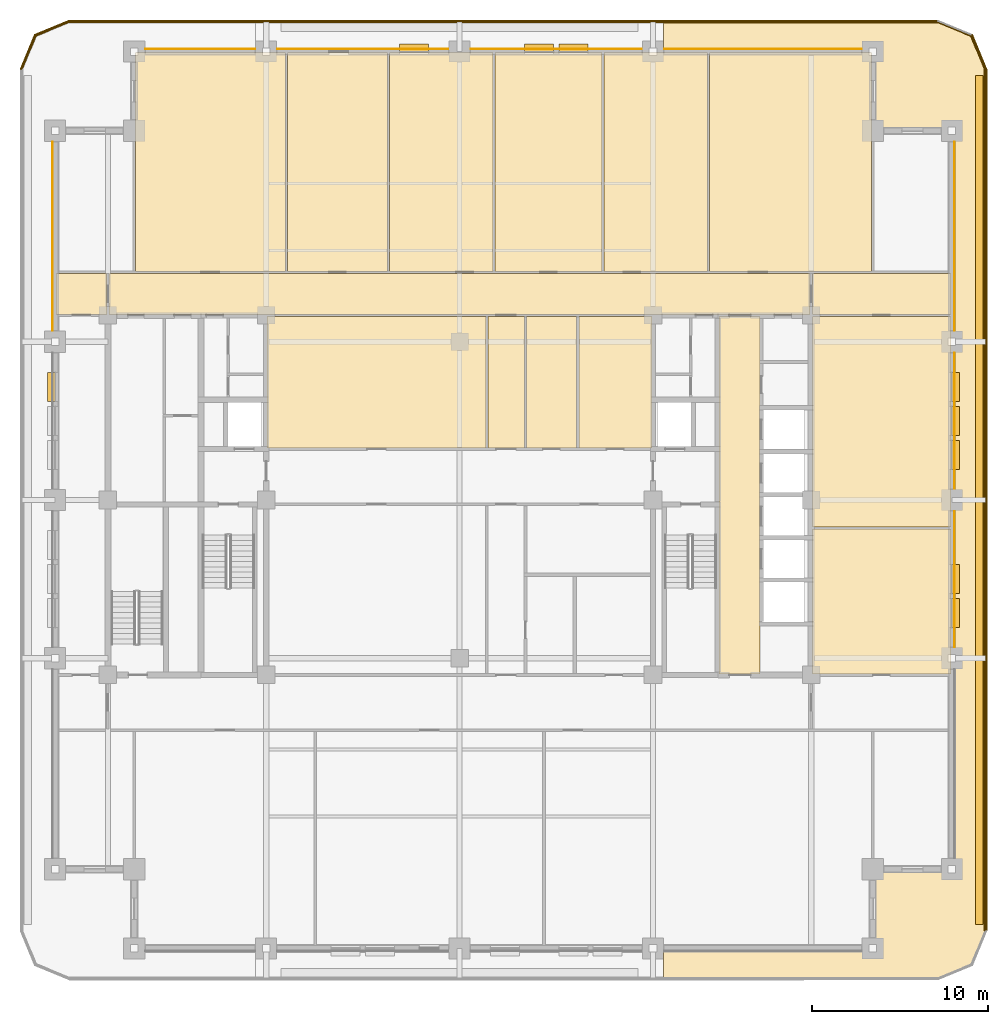
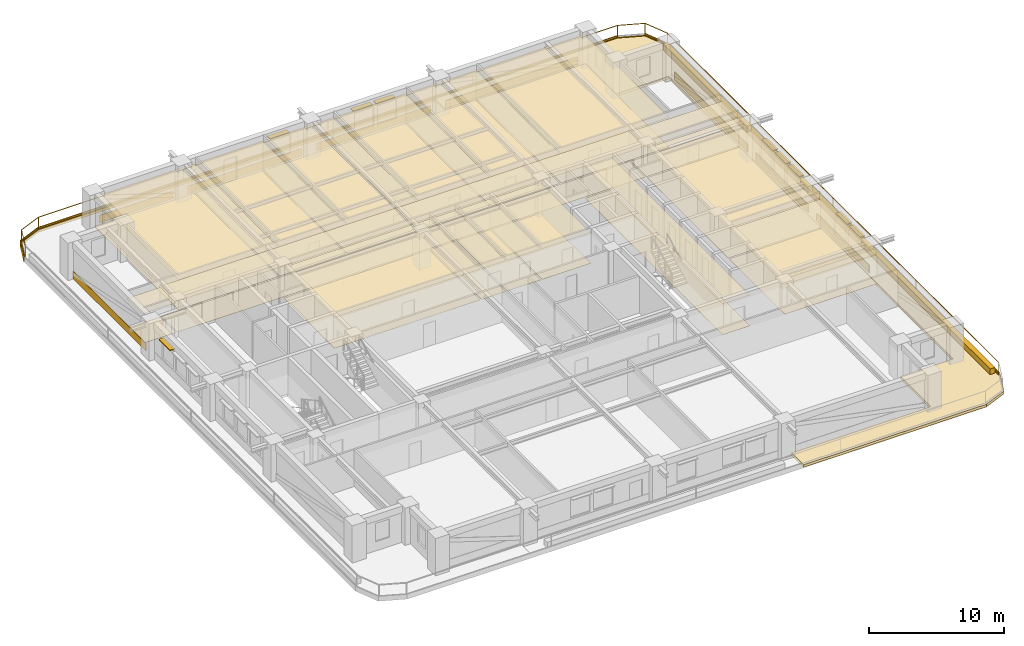
# One storey, part 13 of 14: 47 coverings, 9 shading devices, 2 railings.
"""IFC4 building model written with IfcOpenShell, lengths in metres."""

from ifc_helpers import new_model, si_unit, direction, frame, frame_2d, origin, origin_2d, place, context, subcontext, project, spatial, polyline, rectangle, outline, extrude, material, layer, layer_set, type_object, element, save


model = new_model("IFC4")

# Units and contexts
model_context = context("Model", 3, precision=1e-05, world=origin(), true_north=direction((0.0, 1.0)))
body_context = subcontext(model_context, "Body", "Model", "MODEL_VIEW")
ifc_project = project(units=[si_unit("LENGTHUNIT", "METRE"), si_unit("AREAUNIT", "SQUARE_METRE"), si_unit("VOLUMEUNIT", "CUBIC_METRE"), si_unit("PLANEANGLEUNIT", "RADIAN"), si_unit("MASSUNIT", "GRAM", prefix="KILO")], contexts=[model_context])

# Site, building, storey
site_placement = place(None, origin())
site = spatial("IfcSite", under=ifc_project, at=site_placement, CompositionType="ELEMENT")
building_placement = place(site_placement, origin())
building = spatial("IfcBuilding", under=site, at=building_placement, Name="Zulmaris Gate Convention Tower", CompositionType="ELEMENT")
storey_placement = place(building_placement, frame((0.0, 0.0, 102.06982421875)))
storey = spatial("IfcBuildingStorey", under=building, at=storey_placement, Name="L25", CompositionType="ELEMENT", Elevation=102.06982421875)

# Coverings
ifc_material_1 = material(Name="Precast concrete C40/50", Category="concrete")
ifc_layer_1 = layer(ifc_material_1, 0.0400390625, Name="Precast concrete C40/50")
ifc_layer_set_1 = layer_set([ifc_layer_1], Name="Precast concrete C40/50")
covering_type_1 = type_object("IfcCoveringType", Name="CLAD-SPANDREL-PRECAST", PredefinedType="CLADDING", material=ifc_layer_set_1)
covering_1_placement = place(storey_placement, frame((-11.6298828125, 25.64990234375, 0.0), z_axis=(0.0, 0.0, 1.0), x_axis=(-1.0, 0.0, 0.0)))
element("IfcCovering", 1, at=covering_1_placement, inside=storey, type_object=covering_type_1, Name="CLD-L25-N-0_0", PredefinedType="CLADDING", context=body_context, shape_type="SweptSolid", body=[
    extrude(rectangle(XDim=6.240234375, YDim=0.0400390625, at=frame_2d((3.1201171875, 0.0))), origin(), (0.0, 0.0, 1.0), 0.679931640625),
])
for number, where, z_axis, x_axis, name in (
    (2, (-0.6298828125, 25.64990234375, 0.0), (0.0, 0.0, 1.0), (-1.0, 0.0, 0.0), "CLD-L25-N-1_0"),
    (3, (10.3701171875, 25.64990234375, 0.0), (0.0, 0.0, 1.0), (-1.0, 0.0, 0.0), "CLD-L25-N-2_0"),
):
    element("IfcCovering", number, at=place(storey_placement, frame(where, z_axis=z_axis, x_axis=x_axis)), inside=storey, type_object=covering_type_1, Name=name, PredefinedType="CLADDING", context=body_context, shape_type="SweptSolid", body=[
        extrude(rectangle(XDim=9.740234375, YDim=0.0400390625, at=frame_2d((4.8701171875, 0.0))), origin(), (0.0, 0.0, 1.0), 0.679931640625),
    ])
covering_2_placement = place(storey_placement, frame((22.8701171875, 25.64990234375, 0.0), z_axis=(0.0, 0.0, 1.0), x_axis=(-1.0, 0.0, 0.0)))
element("IfcCovering", 4, at=covering_2_placement, inside=storey, type_object=covering_type_1, Name="CLD-L25-N-3_0", PredefinedType="CLADDING", context=body_context, shape_type="SweptSolid", body=[
    extrude(rectangle(XDim=11.240234375, YDim=0.0400390625, at=frame_2d((5.6201171875, 0.0))), origin(), (0.0, 0.0, 1.0), 0.679931640625),
])
for number, where, z_axis, x_axis, name in (
    (5, (28.14990234375, -8.3701171875, 0.0), (0.0, 0.0, 1.0), (0.0, 1.0, 0.0), "CLD-L25-E-1_0"),
    (6, (28.14990234375, 0.6298828125, 0.0), (0.0, 0.0, 1.0), (0.0, 1.0, 0.0), "CLD-L25-E-2_0"),
):
    element("IfcCovering", number, at=place(storey_placement, frame(where, z_axis=z_axis, x_axis=x_axis)), inside=storey, type_object=covering_type_1, Name=name, PredefinedType="CLADDING", context=body_context, shape_type="SweptSolid", body=[
        extrude(rectangle(XDim=7.740234375, YDim=0.0400390625, at=frame_2d((3.8701171875, 0.0))), origin(), (0.0, 0.0, 1.0), 0.679931640625),
    ])
for number, where, z_axis, x_axis, name in (
    (7, (28.14990234375, 9.6298828125, 0.0), (0.0, 0.0, 1.0), (0.0, 1.0, 0.0), "CLD-L25-E-3_0"),
    (8, (-23.14990234375, 20.3701171875, 0.0), (0.0, 0.0, 1.0), (0.0, -1.0, 0.0), "CLD-L25-W-3_0"),
):
    element("IfcCovering", number, at=place(storey_placement, frame(where, z_axis=z_axis, x_axis=x_axis)), inside=storey, type_object=covering_type_1, Name=name, PredefinedType="CLADDING", context=body_context, shape_type="SweptSolid", body=[
        extrude(rectangle(XDim=10.740234375, YDim=0.0400390625, at=frame_2d((5.3701171875, 0.0))), origin(), (0.0, 0.0, 1.0), 0.679931640625),
    ])
ifc_material_2 = material(Name="White Glazed Architectural Precast Concrete C40/50", Category="concrete")
ifc_layer_2 = layer(ifc_material_2, 0.239990234375, Name="White Glazed Architectural Precast Concrete C40/50")
ifc_layer_set_2 = layer_set([ifc_layer_2], Name="White Glazed Architectural Precast Concrete C40/50")
covering_type_2 = type_object("IfcCoveringType", Name="CLAD-TRAY-DECK", PredefinedType="CLADDING", material=ifc_layer_set_2)
covering_3_placement = place(storey_placement, frame((0.0, 0.0, -0.27490234375)))
element("IfcCovering", 9, at=covering_3_placement, inside=storey, type_object=covering_type_2, Name="L25 East Rounded-Fascia Planter Tray Deck", PredefinedType="CLADDING", context=body_context, shape_type="SweptSolid", body=[
    extrude(outline(polyline([(27.199951171875, 27.300048828125), (29.179931640625, 26.47998046875), (30.0, 24.5), (30.0, -24.5), (29.179931640625, -26.47998046875), (27.199951171875, -27.300048828125), (11.60205078125, -27.300048828125), (11.60205078125, -25.5), (23.5, -25.5), (23.5, -21.0), (28.0, -21.0), (28.0, 21.0), (23.5, 21.0), (23.5, 25.5), (11.60205078125, 25.5), (11.60205078125, 27.300048828125), (27.199951171875, 27.300048828125)])), origin(), (0.0, 0.0, 1.0), 0.239990234375),
])
ifc_layer_3 = layer(ifc_material_2, 0.080078125, Name="White Glazed Architectural Precast Concrete C40/50")
ifc_layer_set_3 = layer_set([ifc_layer_3], Name="White Glazed Architectural Precast Concrete C40/50")
covering_type_3 = type_object("IfcCoveringType", Name="CLAD-TRAY-FASCIA", PredefinedType="CLADDING", material=ifc_layer_set_3)
covering_4_placement = place(storey_placement, frame((29.9599609375, -24.5, -0.31494140625), z_axis=(0.0, 0.0, 1.0), x_axis=(0.0, 1.0, 0.0)))
element("IfcCovering", 10, at=covering_4_placement, inside=storey, type_object=covering_type_3, Name="FSC-L25-TR-05", PredefinedType="CLADDING", context=body_context, shape_type="SweptSolid", body=[
    extrude(rectangle(XDim=49.0, YDim=0.080078125, at=frame_2d((24.5, 0.0))), origin(), (0.0, 0.0, 1.0), 0.43994140625),
])
covering_5_placement = place(storey_placement, frame((29.962890625, 24.484619140625, -0.31494140625), z_axis=(0.0, 0.0, 1.0), x_axis=(-0.382656984709, 0.923890487046, 0.0)))
element("IfcCovering", 11, at=covering_5_placement, inside=storey, type_object=covering_type_3, Name="FSC-L25-TR-06", PredefinedType="CLADDING", context=body_context, shape_type="SweptSolid", body=[
    extrude(rectangle(XDim=2.14306640625, YDim=0.080078125, at=frame_2d((1.071533203125, 0.0))), origin(), (0.0, 0.0, 1.0), 0.43994140625),
])
covering_6_placement = place(storey_placement, frame((27.199951171875, 27.260009765625, -0.31494140625), z_axis=(0.0, 0.0, 1.0), x_axis=(-1.0, 0.0, 0.0)))
element("IfcCovering", 12, at=covering_6_placement, inside=storey, type_object=covering_type_3, Name="FSC-L25-TR-08", PredefinedType="CLADDING", context=body_context, shape_type="SweptSolid", body=[
    extrude(rectangle(XDim=49.39990234375, YDim=0.080078125, at=frame_2d((24.699951171875, 0.0))), origin(), (0.0, 0.0, 1.0), 0.43994140625),
])
covering_7_placement = place(storey_placement, frame((-22.184814453125, 27.262939453125, -0.31494140625), z_axis=(0.0, 0.0, 1.0), x_axis=(-0.923873803533, -0.382697263049, 0.0)))
element("IfcCovering", 13, at=covering_7_placement, inside=storey, type_object=covering_type_3, Name="FSC-L25-TR-09", PredefinedType="CLADDING", context=body_context, shape_type="SweptSolid", body=[
    extrude(rectangle(XDim=2.142822265625, YDim=0.080078125, at=frame_2d((1.0712890625, 0.0))), origin(), (0.0, 0.0, 1.0), 0.43994140625),
])
covering_8_placement = place(storey_placement, frame((-24.142822265625, 26.464599609375, -0.31494140625), z_axis=(0.0, 0.0, 1.0), x_axis=(-0.382656984709, -0.923890487046, 0.0)))
element("IfcCovering", 14, at=covering_8_placement, inside=storey, type_object=covering_type_3, Name="FSC-L25-TR-10", PredefinedType="CLADDING", context=body_context, shape_type="SweptSolid", body=[
    extrude(rectangle(XDim=2.14306640625, YDim=0.080078125, at=frame_2d((1.071533203125, 0.0))), origin(), (0.0, 0.0, 1.0), 0.43994140625),
])
ifc_material_3 = material(Name="Mineral Fibre Acoustic Ceiling Tile")
ifc_layer_4 = layer(ifc_material_3, 0.02001953125, Name="Mineral Fibre Acoustic Ceiling Tile")
ifc_layer_set_4 = layer_set([ifc_layer_4], Name="Mineral Fibre Acoustic Ceiling Tile")
covering_type_4 = type_object("IfcCoveringType", Name="CLG-ACOUSTIC-600", PredefinedType="CEILING", material=ifc_layer_set_4)
covering_9_placement = place(storey_placement, frame((0.0, 0.0, 2.778076171875)))
element("IfcCovering", 15, at=covering_9_placement, inside=storey, type_object=covering_type_4, Name="CLG-L25-R27", PredefinedType="CEILING", context=body_context, shape_type="SweptSolid", body=[
    extrude(outline(polyline([(14.760009765625, -9.889892578125), (17.090087890625, -9.889892578125), (17.090087890625, 10.43994140625), (14.760009765625, 10.43994140625), (14.760009765625, -9.889892578125)])), origin(), (0.0, 0.0, 1.0), 0.02001953125),
])
covering_10_placement = place(storey_placement, frame((0.0, 0.0, 2.778076171875)))
element("IfcCovering", 16, at=covering_10_placement, inside=storey, type_object=covering_type_4, Name="CLG-L25-R32", PredefinedType="CEILING", context=body_context, shape_type="SweptSolid", body=[
    extrude(outline(polyline([(-19.93994140625, 10.56005859375), (19.93994140625, 10.56005859375), (19.93994140625, 12.889892578125), (-19.93994140625, 12.889892578125), (-19.93994140625, 10.56005859375)])), origin(), (0.0, 0.0, 1.0), 0.02001953125),
])
covering_11_placement = place(storey_placement, frame((0.0, 0.0, 2.778076171875)))
element("IfcCovering", 17, at=covering_11_placement, inside=storey, type_object=covering_type_4, Name="CLG-L25-R35", PredefinedType="CEILING", context=body_context, shape_type="SweptSolid", body=[
    extrude(outline(polyline([(1.610107421875, 2.9599609375), (3.68994140625, 2.9599609375), (3.68994140625, 10.43994140625), (1.610107421875, 10.43994140625), (1.610107421875, 2.9599609375)])), origin(), (0.0, 0.0, 1.0), 0.02001953125),
])
covering_12_placement = place(storey_placement, frame((0.0, 0.0, 2.68017578125)))
element("IfcCovering", 18, at=covering_12_placement, inside=storey, type_object=covering_type_4, Name="CLG-L25-R37", PredefinedType="CEILING", context=body_context, shape_type="SweptSolid", body=[
    extrude(outline(polyline([(-18.43994140625, 13.010009765625), (-9.909912109375, 13.010009765625), (-9.909912109375, 25.43994140625), (-18.43994140625, 25.43994140625), (-18.43994140625, 13.010009765625)])), origin(), (0.0, 0.0, 1.0), 0.02001953125),
])
covering_13_placement = place(storey_placement, frame((0.0, 0.0, 2.68017578125)))
element("IfcCovering", 19, at=covering_13_placement, inside=storey, type_object=covering_type_4, Name="CLG-L25-R38", PredefinedType="CEILING", context=body_context, shape_type="SweptSolid", body=[
    extrude(outline(polyline([(-9.7900390625, 13.010009765625), (-4.110107421875, 13.010009765625), (-4.110107421875, 25.43994140625), (-9.7900390625, 25.43994140625), (-9.7900390625, 13.010009765625)])), origin(), (0.0, 0.0, 1.0), 0.02001953125),
])
covering_14_placement = place(storey_placement, frame((0.0, 0.0, 2.68017578125)))
element("IfcCovering", 20, at=covering_14_placement, inside=storey, type_object=covering_type_4, Name="CLG-L25-R39", PredefinedType="CEILING", context=body_context, shape_type="SweptSolid", body=[
    extrude(outline(polyline([(-3.989990234375, 13.010009765625), (1.889892578125, 13.010009765625), (1.889892578125, 25.43994140625), (-3.989990234375, 25.43994140625), (-3.989990234375, 13.010009765625)])), origin(), (0.0, 0.0, 1.0), 0.02001953125),
])
covering_15_placement = place(storey_placement, frame((0.0, 0.0, 2.68017578125)))
element("IfcCovering", 21, at=covering_15_placement, inside=storey, type_object=covering_type_4, Name="CLG-L25-R40", PredefinedType="CEILING", context=body_context, shape_type="SweptSolid", body=[
    extrude(outline(polyline([(2.010009765625, 13.010009765625), (8.090087890625, 13.010009765625), (8.090087890625, 25.43994140625), (2.010009765625, 25.43994140625), (2.010009765625, 13.010009765625)])), origin(), (0.0, 0.0, 1.0), 0.02001953125),
])
covering_16_placement = place(storey_placement, frame((0.0, 0.0, 2.68017578125)))
element("IfcCovering", 22, at=covering_16_placement, inside=storey, type_object=covering_type_4, Name="CLG-L25-R41", PredefinedType="CEILING", context=body_context, shape_type="SweptSolid", body=[
    extrude(outline(polyline([(8.2099609375, 13.010009765625), (14.090087890625, 13.010009765625), (14.090087890625, 25.43994140625), (8.2099609375, 25.43994140625), (8.2099609375, 13.010009765625)])), origin(), (0.0, 0.0, 1.0), 0.02001953125),
])
covering_17_placement = place(storey_placement, frame((0.0, 0.0, 2.68017578125)))
element("IfcCovering", 23, at=covering_17_placement, inside=storey, type_object=covering_type_4, Name="CLG-L25-R42", PredefinedType="CEILING", context=body_context, shape_type="SweptSolid", body=[
    extrude(outline(polyline([(14.2099609375, 13.010009765625), (23.43994140625, 13.010009765625), (23.43994140625, 25.43994140625), (14.2099609375, 25.43994140625), (14.2099609375, 13.010009765625)])), origin(), (0.0, 0.0, 1.0), 0.02001953125),
])
covering_18_placement = place(storey_placement, frame((0.0, 0.0, 2.778076171875)))
element("IfcCovering", 24, at=covering_18_placement, inside=storey, type_object=covering_type_4, Name="CLG-L25-R46", PredefinedType="CEILING", context=body_context, shape_type="SweptSolid", body=[
    extrude(outline(polyline([(-10.93994140625, 2.9599609375), (1.489990234375, 2.9599609375), (1.489990234375, 10.43994140625), (-10.93994140625, 10.43994140625), (-10.93994140625, 2.9599609375)])), origin(), (0.0, 0.0, 1.0), 0.02001953125),
])
covering_19_placement = place(storey_placement, frame((0.0, 0.0, 2.778076171875)))
element("IfcCovering", 25, at=covering_19_placement, inside=storey, type_object=covering_type_4, Name="CLG-L25-R47", PredefinedType="CEILING", context=body_context, shape_type="SweptSolid", body=[
    extrude(outline(polyline([(3.81005859375, 2.9599609375), (6.659912109375, 2.9599609375), (6.659912109375, 10.43994140625), (3.81005859375, 10.43994140625), (3.81005859375, 2.9599609375)])), origin(), (0.0, 0.0, 1.0), 0.02001953125),
])
covering_20_placement = place(storey_placement, frame((0.0, 0.0, 2.778076171875)))
element("IfcCovering", 26, at=covering_20_placement, inside=storey, type_object=covering_type_4, Name="CLG-L25-R48", PredefinedType="CEILING", context=body_context, shape_type="SweptSolid", body=[
    extrude(outline(polyline([(6.780029296875, 2.9599609375), (10.93994140625, 2.9599609375), (10.93994140625, 10.43994140625), (6.780029296875, 10.43994140625), (6.780029296875, 2.9599609375)])), origin(), (0.0, 0.0, 1.0), 0.02001953125),
])
covering_21_placement = place(storey_placement, frame((0.0, 0.0, 2.68017578125)))
element("IfcCovering", 27, at=covering_21_placement, inside=storey, type_object=covering_type_4, Name="CLG-L25-R53", PredefinedType="CEILING", context=body_context, shape_type="SweptSolid", body=[
    extrude(outline(polyline([(-22.93994140625, 10.56005859375), (-20.06005859375, 10.56005859375), (-20.06005859375, 12.889892578125), (-22.93994140625, 12.889892578125), (-22.93994140625, 10.56005859375)])), origin(), (0.0, 0.0, 1.0), 0.02001953125),
])
covering_22_placement = place(storey_placement, frame((0.0, 0.0, 2.68017578125)))
element("IfcCovering", 28, at=covering_22_placement, inside=storey, type_object=covering_type_4, Name="CLG-L25-R56", PredefinedType="CEILING", context=body_context, shape_type="SweptSolid", body=[
    extrude(outline(polyline([(20.06005859375, 10.56005859375), (27.93994140625, 10.56005859375), (27.93994140625, 12.889892578125), (20.06005859375, 12.889892578125), (20.06005859375, 10.56005859375)])), origin(), (0.0, 0.0, 1.0), 0.02001953125),
])
covering_23_placement = place(storey_placement, frame((0.0, 0.0, 2.68017578125)))
element("IfcCovering", 29, at=covering_23_placement, inside=storey, type_object=covering_type_4, Name="CLG-L25-R58", PredefinedType="CEILING", context=body_context, shape_type="SweptSolid", body=[
    extrude(outline(polyline([(20.06005859375, -1.5400390625), (27.93994140625, -1.5400390625), (27.93994140625, 10.43994140625), (20.06005859375, 10.43994140625), (20.06005859375, -1.5400390625)])), origin(), (0.0, 0.0, 1.0), 0.02001953125),
])
covering_24_placement = place(storey_placement, frame((0.0, 0.0, 2.68017578125)))
element("IfcCovering", 30, at=covering_24_placement, inside=storey, type_object=covering_type_4, Name="CLG-L25-R59", PredefinedType="CEILING", context=body_context, shape_type="SweptSolid", body=[
    extrude(outline(polyline([(20.06005859375, -9.889892578125), (27.93994140625, -9.889892578125), (27.93994140625, -1.659912109375), (20.06005859375, -1.659912109375), (20.06005859375, -9.889892578125)])), origin(), (0.0, 0.0, 1.0), 0.02001953125),
])
ifc_material_4 = material(Name="Woven Acoustic Wool Carpet Tile")
ifc_layer_5 = layer(ifc_material_4, 0.02001953125, Name="Woven Acoustic Wool Carpet Tile")
ifc_layer_set_5 = layer_set([ifc_layer_5], Name="Woven Acoustic Wool Carpet Tile")
covering_type_5 = type_object("IfcCoveringType", Name="FLR-CARPET-12", PredefinedType="FLOORING", material=ifc_layer_set_5)
covering_25_placement = place(storey_placement, origin())
element("IfcCovering", 31, at=covering_25_placement, inside=storey, type_object=covering_type_5, Name="FLR-L25-R27", PredefinedType="FLOORING", context=body_context, shape_type="SweptSolid", body=[
    extrude(outline(polyline([(14.760009765625, -9.889892578125), (17.090087890625, -9.889892578125), (17.090087890625, 10.43994140625), (14.760009765625, 10.43994140625), (14.760009765625, -9.889892578125)])), origin(), (0.0, 0.0, 1.0), 0.02001953125),
])
covering_26_placement = place(storey_placement, origin())
element("IfcCovering", 32, at=covering_26_placement, inside=storey, type_object=covering_type_5, Name="FLR-L25-R32", PredefinedType="FLOORING", context=body_context, shape_type="SweptSolid", body=[
    extrude(outline(polyline([(-19.93994140625, 10.56005859375), (19.93994140625, 10.56005859375), (19.93994140625, 12.889892578125), (-19.93994140625, 12.889892578125), (-19.93994140625, 10.56005859375)])), origin(), (0.0, 0.0, 1.0), 0.02001953125),
])
covering_27_placement = place(storey_placement, origin())
element("IfcCovering", 33, at=covering_27_placement, inside=storey, type_object=covering_type_5, Name="FLR-L25-R35", PredefinedType="FLOORING", context=body_context, shape_type="SweptSolid", body=[
    extrude(outline(polyline([(1.610107421875, 2.9599609375), (3.68994140625, 2.9599609375), (3.68994140625, 10.43994140625), (1.610107421875, 10.43994140625), (1.610107421875, 2.9599609375)])), origin(), (0.0, 0.0, 1.0), 0.02001953125),
])
covering_28_placement = place(storey_placement, origin())
element("IfcCovering", 34, at=covering_28_placement, inside=storey, type_object=covering_type_5, Name="FLR-L25-R38", PredefinedType="FLOORING", context=body_context, shape_type="SweptSolid", body=[
    extrude(outline(polyline([(-9.7900390625, 13.010009765625), (-4.110107421875, 13.010009765625), (-4.110107421875, 25.43994140625), (-9.7900390625, 25.43994140625), (-9.7900390625, 13.010009765625)])), origin(), (0.0, 0.0, 1.0), 0.02001953125),
])
covering_29_placement = place(storey_placement, origin())
element("IfcCovering", 35, at=covering_29_placement, inside=storey, type_object=covering_type_5, Name="FLR-L25-R39", PredefinedType="FLOORING", context=body_context, shape_type="SweptSolid", body=[
    extrude(outline(polyline([(-3.989990234375, 13.010009765625), (1.889892578125, 13.010009765625), (1.889892578125, 25.43994140625), (-3.989990234375, 25.43994140625), (-3.989990234375, 13.010009765625)])), origin(), (0.0, 0.0, 1.0), 0.02001953125),
])
covering_30_placement = place(storey_placement, origin())
element("IfcCovering", 36, at=covering_30_placement, inside=storey, type_object=covering_type_5, Name="FLR-L25-R40", PredefinedType="FLOORING", context=body_context, shape_type="SweptSolid", body=[
    extrude(outline(polyline([(2.010009765625, 13.010009765625), (8.090087890625, 13.010009765625), (8.090087890625, 25.43994140625), (2.010009765625, 25.43994140625), (2.010009765625, 13.010009765625)])), origin(), (0.0, 0.0, 1.0), 0.02001953125),
])
covering_31_placement = place(storey_placement, origin())
element("IfcCovering", 37, at=covering_31_placement, inside=storey, type_object=covering_type_5, Name="FLR-L25-R42", PredefinedType="FLOORING", context=body_context, shape_type="SweptSolid", body=[
    extrude(outline(polyline([(14.2099609375, 13.010009765625), (23.43994140625, 13.010009765625), (23.43994140625, 25.43994140625), (14.2099609375, 25.43994140625), (14.2099609375, 13.010009765625)])), origin(), (0.0, 0.0, 1.0), 0.02001953125),
])
covering_32_placement = place(storey_placement, origin())
element("IfcCovering", 38, at=covering_32_placement, inside=storey, type_object=covering_type_5, Name="FLR-L25-R48", PredefinedType="FLOORING", context=body_context, shape_type="SweptSolid", body=[
    extrude(outline(polyline([(6.780029296875, 2.9599609375), (10.93994140625, 2.9599609375), (10.93994140625, 10.43994140625), (6.780029296875, 10.43994140625), (6.780029296875, 2.9599609375)])), origin(), (0.0, 0.0, 1.0), 0.02001953125),
])
covering_33_placement = place(storey_placement, origin())
element("IfcCovering", 39, at=covering_33_placement, inside=storey, type_object=covering_type_5, Name="FLR-L25-R53", PredefinedType="FLOORING", context=body_context, shape_type="SweptSolid", body=[
    extrude(outline(polyline([(-22.93994140625, 10.56005859375), (-20.06005859375, 10.56005859375), (-20.06005859375, 12.889892578125), (-22.93994140625, 12.889892578125), (-22.93994140625, 10.56005859375)])), origin(), (0.0, 0.0, 1.0), 0.02001953125),
])
covering_34_placement = place(storey_placement, origin())
element("IfcCovering", 40, at=covering_34_placement, inside=storey, type_object=covering_type_5, Name="FLR-L25-R56", PredefinedType="FLOORING", context=body_context, shape_type="SweptSolid", body=[
    extrude(outline(polyline([(20.06005859375, 10.56005859375), (27.93994140625, 10.56005859375), (27.93994140625, 12.889892578125), (20.06005859375, 12.889892578125), (20.06005859375, 10.56005859375)])), origin(), (0.0, 0.0, 1.0), 0.02001953125),
])
covering_35_placement = place(storey_placement, origin())
element("IfcCovering", 41, at=covering_35_placement, inside=storey, type_object=covering_type_5, Name="FLR-L25-R58", PredefinedType="FLOORING", context=body_context, shape_type="SweptSolid", body=[
    extrude(outline(polyline([(20.06005859375, -1.5400390625), (27.93994140625, -1.5400390625), (27.93994140625, 10.43994140625), (20.06005859375, 10.43994140625), (20.06005859375, -1.5400390625)])), origin(), (0.0, 0.0, 1.0), 0.02001953125),
])
covering_36_placement = place(storey_placement, origin())
element("IfcCovering", 42, at=covering_36_placement, inside=storey, type_object=covering_type_5, Name="FLR-L25-R59", PredefinedType="FLOORING", context=body_context, shape_type="SweptSolid", body=[
    extrude(outline(polyline([(20.06005859375, -9.889892578125), (27.93994140625, -9.889892578125), (27.93994140625, -1.659912109375), (20.06005859375, -1.659912109375), (20.06005859375, -9.889892578125)])), origin(), (0.0, 0.0, 1.0), 0.02001953125),
])
ifc_material_5 = material(Name="Polished Granite Terrazzo Tile", Category="masonry")
ifc_layer_6 = layer(ifc_material_5, 0.02001953125, Name="Polished Granite Terrazzo Tile")
ifc_layer_set_6 = layer_set([ifc_layer_6], Name="Polished Granite Terrazzo Tile")
covering_type_6 = type_object("IfcCoveringType", Name="FLR-TERRAZZO-30", PredefinedType="FLOORING", material=ifc_layer_set_6)
covering_37_placement = place(storey_placement, origin())
element("IfcCovering", 43, at=covering_37_placement, inside=storey, type_object=covering_type_6, Name="FLR-L25-R46", PredefinedType="FLOORING", context=body_context, shape_type="SweptSolid", body=[
    extrude(outline(polyline([(-10.93994140625, 2.9599609375), (1.489990234375, 2.9599609375), (1.489990234375, 10.43994140625), (-10.93994140625, 10.43994140625), (-10.93994140625, 2.9599609375)])), origin(), (0.0, 0.0, 1.0), 0.02001953125),
])
ifc_material_6 = material(Name="Engineered Teak Parquet Flooring")
ifc_layer_7 = layer(ifc_material_6, 0.02001953125, Name="Engineered Teak Parquet Flooring")
ifc_layer_set_7 = layer_set([ifc_layer_7], Name="Engineered Teak Parquet Flooring")
covering_type_7 = type_object("IfcCoveringType", Name="FLR-TIMBER-18", PredefinedType="FLOORING", material=ifc_layer_set_7)
covering_38_placement = place(storey_placement, origin())
element("IfcCovering", 44, at=covering_38_placement, inside=storey, type_object=covering_type_7, Name="FLR-L25-R37", PredefinedType="FLOORING", context=body_context, shape_type="SweptSolid", body=[
    extrude(outline(polyline([(-18.43994140625, 13.010009765625), (-9.909912109375, 13.010009765625), (-9.909912109375, 25.43994140625), (-18.43994140625, 25.43994140625), (-18.43994140625, 13.010009765625)])), origin(), (0.0, 0.0, 1.0), 0.02001953125),
])
covering_39_placement = place(storey_placement, origin())
element("IfcCovering", 45, at=covering_39_placement, inside=storey, type_object=covering_type_7, Name="FLR-L25-R41", PredefinedType="FLOORING", context=body_context, shape_type="SweptSolid", body=[
    extrude(outline(polyline([(8.2099609375, 13.010009765625), (14.090087890625, 13.010009765625), (14.090087890625, 25.43994140625), (8.2099609375, 25.43994140625), (8.2099609375, 13.010009765625)])), origin(), (0.0, 0.0, 1.0), 0.02001953125),
])
covering_40_placement = place(storey_placement, origin())
element("IfcCovering", 46, at=covering_40_placement, inside=storey, type_object=covering_type_7, Name="FLR-L25-R47", PredefinedType="FLOORING", context=body_context, shape_type="SweptSolid", body=[
    extrude(outline(polyline([(3.81005859375, 2.9599609375), (6.659912109375, 2.9599609375), (6.659912109375, 10.43994140625), (3.81005859375, 10.43994140625), (3.81005859375, 2.9599609375)])), origin(), (0.0, 0.0, 1.0), 0.02001953125),
])
ifc_material_7 = material(Name="Botanical Green Glazed Precast Concrete C40/50", Category="concrete")
ifc_layer_8 = layer(ifc_material_7, 0.419921875, Name="Botanical Green Glazed Precast Concrete C40/50")
ifc_layer_set_8 = layer_set([ifc_layer_8], Name="Botanical Green Glazed Precast Concrete C40/50")
covering_type_8 = type_object("IfcCoveringType", Name="PLANTER-BOX-200", PredefinedType="CLADDING", material=ifc_layer_set_8)
covering_41_placement = place(storey_placement, frame((0.0, 0.0, -0.034912109375)))
element("IfcCovering", 47, at=covering_41_placement, inside=storey, type_object=covering_type_8, Name="L25 E Full-Length Balcony Tree Planter Trough", PredefinedType="CLADDING", context=body_context, shape_type="SweptSolid", body=[
    extrude(outline(polyline([(29.340087890625, -24.14990234375), (29.760009765625, -24.14990234375), (29.760009765625, 24.14990234375), (29.340087890625, 24.14990234375), (29.340087890625, -24.14990234375)])), origin(), (0.0, 0.0, 1.0), 0.519775390625),
])

# Railings
ifc_material_8 = material(Name="Laminated Glass and Stainless Steel", Category="steel")
railing_type = type_object("IfcRailingType", Name="RL-BALC-1150", PredefinedType="BALUSTRADE", material=ifc_material_8)
railing_1_placement = place(storey_placement, frame((29.8798828125, -24.5, -0.034912109375)))
element("IfcRailing", 48, at=railing_1_placement, inside=storey, type_object=railing_type, Name="RL-L25-BALC-E", PredefinedType="BALUSTRADE", context=body_context, shape_type="SweptSolid", body=[
    extrude(rectangle(XDim=0.048095703125, YDim=0.048095703125, at=origin_2d()), frame((0.0, 0.0, 1.1259765625), z_axis=(0.0, 1.0, 0.0), x_axis=(-1.0, 0.0, 0.0)), (0.0, 0.0, 1.0), 49.0),
    extrude(rectangle(XDim=0.048095703125, YDim=0.048095703125, at=origin_2d()), frame((0.0, 0.0, 0.02392578125), z_axis=(0.0, 1.0, 0.0), x_axis=(-1.0, 0.0, 0.0)), (0.0, 0.0, 1.0), 49.0),
    extrude(rectangle(XDim=0.0419921875, YDim=0.0419921875, at=origin_2d()), origin(), (0.0, 0.0, 1.0), 1.101806640625),
    extrude(rectangle(XDim=0.0419921875, YDim=0.0419921875, at=origin_2d()), frame((0.0, 12.25, 0.0)), (0.0, 0.0, 1.0), 1.101806640625),
    extrude(rectangle(XDim=0.0419921875, YDim=0.0419921875, at=origin_2d()), frame((0.0, 24.5, 0.0)), (0.0, 0.0, 1.0), 1.101806640625),
    extrude(rectangle(XDim=0.0419921875, YDim=0.0419921875, at=origin_2d()), frame((0.0, 36.75, 0.0)), (0.0, 0.0, 1.0), 1.101806640625),
    extrude(rectangle(XDim=0.0419921875, YDim=0.0419921875, at=origin_2d()), frame((0.0, 49.0, 0.0)), (0.0, 0.0, 1.0), 1.101806640625),
])
railing_2_placement = place(storey_placement, frame((29.8798828125, 24.5, -0.034912109375)))
element("IfcRailing", 49, at=railing_2_placement, inside=storey, type_object=railing_type, Name="RL-L25-BALC-N", PredefinedType="BALUSTRADE", context=body_context, shape_type="SweptSolid", body=[
    extrude(rectangle(XDim=0.048095703125, YDim=0.048095703125, at=origin_2d()), frame((0.0, 0.0, 1.1259765625), z_axis=(-0.382670664694, 0.92388482095, 0.0), x_axis=(-0.92388482095, -0.382670664694, 0.0)), (0.0, 0.0, 1.0), 2.051025390625),
    extrude(rectangle(XDim=0.048095703125, YDim=0.048095703125, at=origin_2d()), frame((0.0, 0.0, 0.02392578125), z_axis=(-0.382670664694, 0.92388482095, 0.0), x_axis=(-0.92388482095, -0.382670664694, 0.0)), (0.0, 0.0, 1.0), 2.051025390625),
    extrude(rectangle(XDim=0.048095703125, YDim=0.048095703125, at=origin_2d()), frame((-0.784912109375, 1.89501953125, 1.1259765625), z_axis=(-0.92388482095, 0.382670664694, 0.0), x_axis=(-0.382670664694, -0.92388482095, 0.0)), (0.0, 0.0, 1.0), 2.051025390625),
    extrude(rectangle(XDim=0.048095703125, YDim=0.048095703125, at=origin_2d()), frame((-0.784912109375, 1.89501953125, 0.02392578125), z_axis=(-0.92388482095, 0.382670664694, 0.0), x_axis=(-0.382670664694, -0.92388482095, 0.0)), (0.0, 0.0, 1.0), 2.051025390625),
    extrude(rectangle(XDim=0.048095703125, YDim=0.048095703125, at=origin_2d()), frame((-2.679931640625, 2.679931640625, 1.1259765625), z_axis=(-1.0, 0.0, 0.0), x_axis=(0.0, -1.0, 0.0)), (0.0, 0.0, 1.0), 49.39990234375),
    extrude(rectangle(XDim=0.048095703125, YDim=0.048095703125, at=origin_2d()), frame((-2.679931640625, 2.679931640625, 0.02392578125), z_axis=(-1.0, 0.0, 0.0), x_axis=(0.0, -1.0, 0.0)), (0.0, 0.0, 1.0), 49.39990234375),
    extrude(rectangle(XDim=0.048095703125, YDim=0.048095703125, at=origin_2d()), frame((-52.079833984375, 2.679931640625, 1.1259765625), z_axis=(-0.92388482095, -0.382670664694, 0.0), x_axis=(0.382670664694, -0.92388482095, 0.0)), (0.0, 0.0, 1.0), 2.051025390625),
    extrude(rectangle(XDim=0.048095703125, YDim=0.048095703125, at=origin_2d()), frame((-52.079833984375, 2.679931640625, 0.02392578125), z_axis=(-0.92388482095, -0.382670664694, 0.0), x_axis=(0.382670664694, -0.92388482095, 0.0)), (0.0, 0.0, 1.0), 2.051025390625),
    extrude(rectangle(XDim=0.048095703125, YDim=0.048095703125, at=origin_2d()), frame((-53.974853515625, 1.89501953125, 1.1259765625), z_axis=(-0.382670664694, -0.92388482095, 0.0), x_axis=(0.92388482095, -0.382670664694, 0.0)), (0.0, 0.0, 1.0), 2.051025390625),
    extrude(rectangle(XDim=0.048095703125, YDim=0.048095703125, at=origin_2d()), frame((-53.974853515625, 1.89501953125, 0.02392578125), z_axis=(-0.382670664694, -0.92388482095, 0.0), x_axis=(0.92388482095, -0.382670664694, 0.0)), (0.0, 0.0, 1.0), 2.051025390625),
    extrude(rectangle(XDim=0.0419921875, YDim=0.0419921875, at=origin_2d()), origin(), (0.0, 0.0, 1.0), 1.101806640625),
    extrude(rectangle(XDim=0.0419921875, YDim=0.0419921875, at=origin_2d()), frame((-0.784912109375, 1.89501953125, 0.0)), (0.0, 0.0, 1.0), 1.101806640625),
    extrude(rectangle(XDim=0.0419921875, YDim=0.0419921875, at=origin_2d()), frame((-2.679931640625, 2.679931640625, 0.0)), (0.0, 0.0, 1.0), 1.101806640625),
    extrude(rectangle(XDim=0.0419921875, YDim=0.0419921875, at=origin_2d()), frame((-15.02978515625, 2.679931640625, 0.0)), (0.0, 0.0, 1.0), 1.101806640625),
    extrude(rectangle(XDim=0.0419921875, YDim=0.0419921875, at=origin_2d()), frame((-27.3798828125, 2.679931640625, 0.0)), (0.0, 0.0, 1.0), 1.101806640625),
    extrude(rectangle(XDim=0.0419921875, YDim=0.0419921875, at=origin_2d()), frame((-39.72998046875, 2.679931640625, 0.0)), (0.0, 0.0, 1.0), 1.101806640625),
    extrude(rectangle(XDim=0.0419921875, YDim=0.0419921875, at=origin_2d()), frame((-52.079833984375, 2.679931640625, 0.0)), (0.0, 0.0, 1.0), 1.101806640625),
    extrude(rectangle(XDim=0.0419921875, YDim=0.0419921875, at=origin_2d()), frame((-53.974853515625, 1.89501953125, 0.0)), (0.0, 0.0, 1.0), 1.101806640625),
    extrude(rectangle(XDim=0.0419921875, YDim=0.0419921875, at=origin_2d()), frame((-54.759765625, 0.0, 0.0)), (0.0, 0.0, 1.0), 1.101806640625),
])

# Shading devices
ifc_material_9 = material(Name="Glazed Ceramic Terracotta", Category="masonry")
ifc_layer_9 = layer(ifc_material_9, 0.070068359375, Name="Glazed Ceramic Terracotta")
ifc_layer_set_9 = layer_set([ifc_layer_9], Name="Glazed Ceramic Terracotta")
shading_device_type = type_object("IfcShadingDeviceType", Name="SHD-SUNSHADE-TC", PredefinedType="AWNING", material=ifc_layer_set_9)
for number, where, z_axis, x_axis, name in (
    (50, (-1.7529296875, 25.719970703125, 2.530029296875), (0.0, 0.0, 1.0), (-1.0, 0.0, 0.0), "SHD-EW-L25-N-1_0-1"),
    (51, (7.299072265625, 25.719970703125, 2.530029296875), (0.0, 0.0, 1.0), (-1.0, 0.0, 0.0), "SHD-EW-L25-N-2_0-2"),
    (52, (5.35107421875, 25.719970703125, 2.530029296875), (0.0, 0.0, 1.0), (-1.0, 0.0, 0.0), "SHD-EW-L25-N-2_0-3"),
):
    element("IfcShadingDevice", number, at=place(storey_placement, frame(where, z_axis=z_axis, x_axis=x_axis)), inside=storey, type_object=shading_device_type, Name=name, PredefinedType="AWNING", context=body_context, shape_type="SweptSolid", body=[
        extrude(rectangle(XDim=1.650146484375, YDim=0.43994140625, at=frame_2d((0.8251953125, 0.0))), origin(), (0.0, 0.0, 1.0), 0.070068359375),
    ])
for number, where, z_axis, x_axis, name in (
    (53, (28.219970703125, -7.260009765625, 2.530029296875), (0.0, 0.0, 1.0), (0.0, 1.0, 0.0), "SHD-EW-L25-E-1_0-1"),
    (54, (28.219970703125, -5.324951171875, 2.530029296875), (0.0, 0.0, 1.0), (0.0, 1.0, 0.0), "SHD-EW-L25-E-1_0-2"),
    (55, (28.219970703125, 1.739990234375, 2.530029296875), (0.0, 0.0, 1.0), (0.0, 1.0, 0.0), "SHD-EW-L25-E-2_0-1"),
    (56, (28.219970703125, 3.675048828125, 2.530029296875), (0.0, 0.0, 1.0), (0.0, 1.0, 0.0), "SHD-EW-L25-E-2_0-2"),
    (57, (28.219970703125, 5.610107421875, 2.530029296875), (0.0, 0.0, 1.0), (0.0, 1.0, 0.0), "SHD-EW-L25-E-2_0-3"),
    (58, (-23.219970703125, 7.260009765625, 2.530029296875), (0.0, 0.0, 1.0), (0.0, -1.0, 0.0), "SHD-EW-L25-W-2_0-1"),
):
    element("IfcShadingDevice", number, at=place(storey_placement, frame(where, z_axis=z_axis, x_axis=x_axis)), inside=storey, type_object=shading_device_type, Name=name, PredefinedType="AWNING", context=body_context, shape_type="SweptSolid", body=[
        extrude(rectangle(XDim=1.64990234375, YDim=0.43994140625, at=frame_2d((0.824951171875, 0.0))), origin(), (0.0, 0.0, 1.0), 0.070068359375),
    ])

save(model, "model.ifc")
